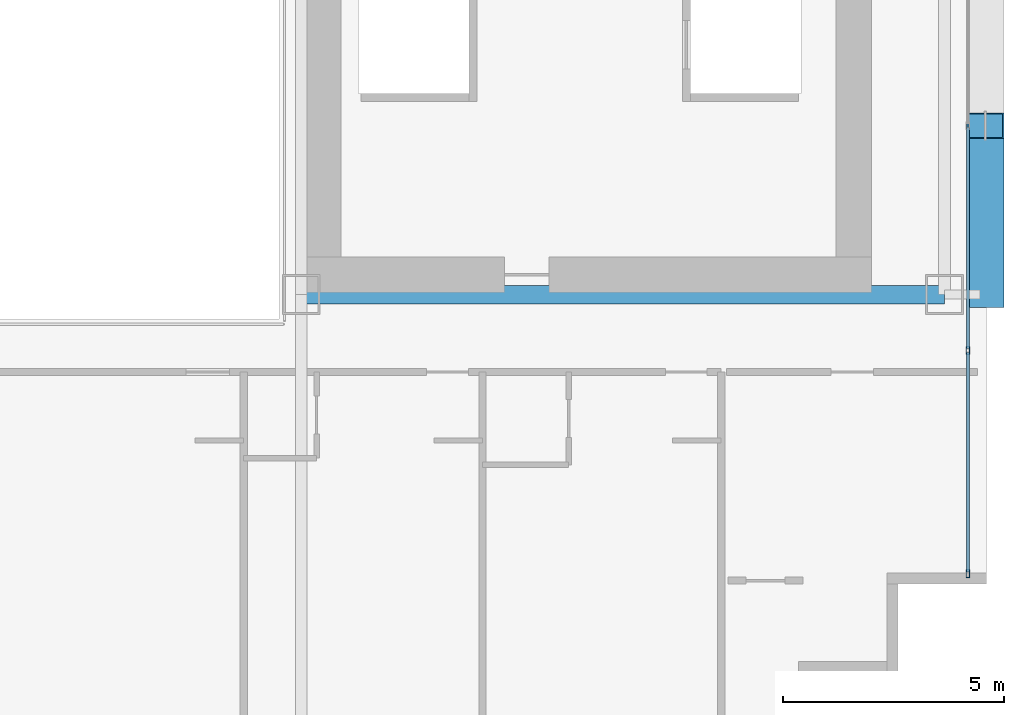
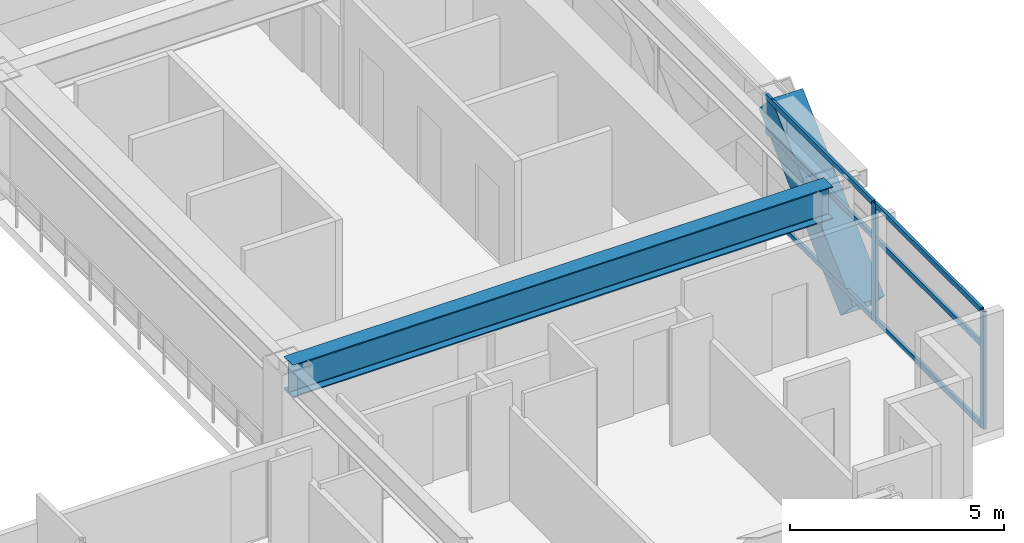
# One storey, part 11 of 35: 9 members, 1 beam, 1 element without a shape of its own.
"""IFC4 building model written with IfcOpenShell, lengths in metres."""

from ifc_helpers import new_model, si_unit, direction, frame, origin, origin_2d, place, context, subcontext, project, spatial, hollow_rectangle, i_section, extrude, source, transform, mapped, material, layer, layer_set, material_profile, profile_set, type_object, element, aggregate, save


model = new_model("IFC4")

# Units and contexts
model_context = context("Model", 3, precision=1e-05, world=origin(), true_north=direction((0.0, 1.0)))
body_context = subcontext(model_context, "Body", "Model", "MODEL_VIEW")
ifc_project = project(units=[si_unit("LENGTHUNIT", "METRE"), si_unit("AREAUNIT", "SQUARE_METRE"), si_unit("VOLUMEUNIT", "CUBIC_METRE"), si_unit("PLANEANGLEUNIT", "RADIAN"), si_unit("MASSUNIT", "GRAM", prefix="KILO")], contexts=[model_context])

# Site, building, storey
site_placement = place(None, origin())
site = spatial("IfcSite", under=ifc_project, at=site_placement, CompositionType="ELEMENT")
building_placement = place(site_placement, origin())
building = spatial("IfcBuilding", under=site, at=building_placement, Name="Ocotamira Hotel", CompositionType="ELEMENT")
storey_placement = place(building_placement, frame((0.0, 0.0, 63.60009765625)))
storey = spatial("IfcBuildingStorey", under=building, at=storey_placement, Name="L15", CompositionType="ELEMENT", Elevation=63.60009765625)

# Beam
ifc_material_1 = material(Name="Steel ASTM A992 Grade 50", Category="steel")
ifc_material_profile_1 = material_profile(ifc_material_1, i_section(OverallWidth=0.41796875, OverallDepth=0.927001953125, WebThickness=0.019287109375, FlangeThickness=0.031982421875, FilletRadius=0.02392578125, at=origin_2d()), Name="W36X231")
ifc_profile_set_1 = profile_set([ifc_material_profile_1], Name="Steel ASTM A992 Grade 50")
beam_type = type_object("IfcBeamType", Name="BM-GIRD-W36X231", PredefinedType="BEAM", material=ifc_profile_set_1)
shared_shape_1 = source(origin(), body_context, "Body", "SweptSolid", [
    extrude(i_section(OverallWidth=0.41796875, OverallDepth=0.927001953125, WebThickness=0.019287109375, FlangeThickness=0.031982421875, FilletRadius=0.02392578125, at=origin_2d()), origin(), (0.0, 0.0, 1.0), 14.550048828125),
])
beam_placement = place(storey_placement, frame((40.5, 14.550048828125, 2.886474609375), z_axis=(1.0, 0.0, 0.0), x_axis=(0.0, 1.0, 0.0)))
element("IfcBeam", 1, at=beam_placement, inside=storey, type_object=beam_type, Name="L15 Girder Y14.55 X40.5-55.05", PredefinedType="BEAM", context=body_context, shape_type="MappedRepresentation", body=[
    mapped(shared_shape_1, transform((0.0, 0.0, 0.0), scale=1.0)),
])

# Member
ifc_material_2 = material(Name="Pale-metal coated steel ASTM A913 Grade 65", Category="steel")
ifc_material_profile_2 = material_profile(ifc_material_2, hollow_rectangle(XDim=0.85009765625, YDim=0.85009765625, WallThickness=0.035888671875, at=origin_2d()), Name="BOX850X850X36")
ifc_profile_set_2 = profile_set([ifc_material_profile_2], Name="Pale-metal coated steel ASTM A913 Grade 65")
member_type_1 = type_object("IfcMemberType", Name="MEM-EXO-BOX850", PredefinedType="BRACE", material=ifc_profile_set_2)
shared_shape_2 = source(origin(), body_context, "Body", "SweptSolid", [
    extrude(hollow_rectangle(XDim=0.85009765625, YDim=0.85009765625, WallThickness=0.035888671875, at=origin_2d()), origin(), (0.0, 0.0, 1.0), 5.24658203125),
])
member_1_placement = place(storey_placement, frame((55.969970703125, 14.550048828125, -0.5), z_axis=(0.0, 0.72746596067, 0.686143772154), x_axis=(-1.0, 0.0, 0.0)))
element("IfcMember", 2, at=member_1_placement, inside=storey, type_object=member_type_1, Name="L15 Exoskeleton Diagrid E0.1", PredefinedType="BRACE", context=body_context, shape_type="MappedRepresentation", body=[
    mapped(shared_shape_2, transform((0.0, 0.0, 0.0), scale=1.0)),
])

# Curtain wall, members
ifc_material_3 = material(Name="Anodised pale-metal aluminium and solar glass", Category="aluminium")
ifc_layer = layer(ifc_material_3, 0.179931640625)
ifc_layer_set = layer_set([ifc_layer], Name="Anodised pale-metal aluminium and solar glass")
curtain_wall_type = type_object("IfcCurtainWallType", Name="CW-SYS2-Z1", PredefinedType="NOTDEFINED", material=ifc_layer_set)
curtain_wall_placement = place(storey_placement, origin())
curtain_wall = element("IfcCurtainWall", 3, at=curtain_wall_placement, inside=storey, type_object=curtain_wall_type, Name="L15 Curtain Wall CW-2 CW-L15-E", PredefinedType="NOTDEFINED")
ifc_material_4 = material(Name="Anodised pale-metal aluminium 6063-T6", Category="aluminium")
ifc_material_profile_3 = material_profile(ifc_material_4, hollow_rectangle(XDim=0.080078125, YDim=0.179931640625, WallThickness=0.006103515625, at=origin_2d()), Name="HSS180X80X6")
ifc_profile_set_3 = profile_set([ifc_material_profile_3], Name="Anodised pale-metal aluminium 6063-T6")
member_type_2 = type_object("IfcMemberType", Name="CWM-180X75", PredefinedType="MULLION", material=ifc_profile_set_3)
shared_shape_3 = source(origin(), body_context, "Body", "SweptSolid", [
    extrude(hollow_rectangle(XDim=0.080078125, YDim=0.179931640625, WallThickness=0.006103515625, at=origin_2d()), origin(), (0.0, 0.0, 1.0), 3.349853515625),
])
member_2_placement = place(storey_placement, frame((55.580078125, 8.239990234375, 0.0), z_axis=(0.0, 0.0, 1.0), x_axis=(-1.0, 0.0, 0.0)))
member_2 = element("IfcMember", 4, at=member_2_placement, type_object=member_type_2, Name="CW-2 mullion 1", PredefinedType="MULLION", context=body_context, shape_type="MappedRepresentation", body=[
    mapped(shared_shape_3, transform((0.0, 0.0, 0.0), scale=1.0)),
])
member_3_placement = place(storey_placement, frame((55.580078125, 13.28564453125, 0.0), z_axis=(0.0, 0.0, 1.0), x_axis=(-1.0, 0.0, 0.0)))
member_3 = element("IfcMember", 5, at=member_3_placement, type_object=member_type_2, Name="CW-2 mullion 2", PredefinedType="MULLION", context=body_context, shape_type="MappedRepresentation", body=[
    mapped(shared_shape_3, transform((0.0, 0.0, 0.0), scale=1.0)),
])
ifc_material_profile_4 = material_profile(ifc_material_4, hollow_rectangle(XDim=0.074951171875, YDim=0.14990234375, WallThickness=0.006103515625, at=origin_2d()), Name="HSS150X75X6")
ifc_profile_set_4 = profile_set([ifc_material_profile_4], Name="Anodised pale-metal aluminium 6063-T6")
member_type_3 = type_object("IfcMemberType", Name="CWT-150X75", PredefinedType="USERDEFINED", material=ifc_profile_set_4)
shared_shape_4 = source(origin(), body_context, "Body", "SweptSolid", [
    extrude(hollow_rectangle(XDim=0.074951171875, YDim=0.14990234375, WallThickness=0.006103515625, at=origin_2d()), origin(), (0.0, 0.0, 1.0), 4.965576171875),
])
member_4_placement = place(storey_placement, frame((55.580078125, 8.280029296875, 0.037353515625), z_axis=(0.0, 1.0, 0.0), x_axis=(-1.0, 0.0, 0.0)))
member_4 = element("IfcMember", 6, at=member_4_placement, type_object=member_type_3, Name="CW-2 transom 1.1", ObjectType="TRANSOM", PredefinedType="USERDEFINED", context=body_context, shape_type="MappedRepresentation", body=[
    mapped(shared_shape_4, transform((0.0, 0.0, 0.0), scale=1.0)),
])
member_5_placement = place(storey_placement, frame((55.580078125, 8.280029296875, 2.349853515625), z_axis=(0.0, 1.0, 0.0), x_axis=(-1.0, 0.0, 0.0)))
member_5 = element("IfcMember", 7, at=member_5_placement, type_object=member_type_3, Name="CW-2 transom 1.2", ObjectType="TRANSOM", PredefinedType="USERDEFINED", context=body_context, shape_type="MappedRepresentation", body=[
    mapped(shared_shape_4, transform((0.0, 0.0, 0.0), scale=1.0)),
])
member_6_placement = place(storey_placement, frame((55.580078125, 8.280029296875, 3.3125), z_axis=(0.0, 1.0, 0.0), x_axis=(-1.0, 0.0, 0.0)))
member_6 = element("IfcMember", 8, at=member_6_placement, type_object=member_type_3, Name="CW-2 transom 1.3", ObjectType="TRANSOM", PredefinedType="USERDEFINED", context=body_context, shape_type="MappedRepresentation", body=[
    mapped(shared_shape_4, transform((0.0, 0.0, 0.0), scale=1.0)),
])
shared_shape_5 = source(origin(), body_context, "Body", "SweptSolid", [
    extrude(hollow_rectangle(XDim=0.074951171875, YDim=0.14990234375, WallThickness=0.006103515625, at=origin_2d()), origin(), (0.0, 0.0, 1.0), 5.005859375),
])
member_7_placement = place(storey_placement, frame((55.580078125, 13.32568359375, 0.037353515625), z_axis=(0.0, 1.0, 0.0), x_axis=(-1.0, 0.0, 0.0)))
member_7 = element("IfcMember", 9, at=member_7_placement, type_object=member_type_3, Name="CW-2 transom 2.1", ObjectType="TRANSOM", PredefinedType="USERDEFINED", context=body_context, shape_type="MappedRepresentation", body=[
    mapped(shared_shape_5, transform((0.0, 0.0, 0.0), scale=1.0)),
])
member_8_placement = place(storey_placement, frame((55.580078125, 13.32568359375, 2.349853515625), z_axis=(0.0, 1.0, 0.0), x_axis=(-1.0, 0.0, 0.0)))
member_8 = element("IfcMember", 10, at=member_8_placement, type_object=member_type_3, Name="CW-2 transom 2.2", ObjectType="TRANSOM", PredefinedType="USERDEFINED", context=body_context, shape_type="MappedRepresentation", body=[
    mapped(shared_shape_5, transform((0.0, 0.0, 0.0), scale=1.0)),
])
member_9_placement = place(storey_placement, frame((55.580078125, 13.32568359375, 3.3125), z_axis=(0.0, 1.0, 0.0), x_axis=(-1.0, 0.0, 0.0)))
member_9 = element("IfcMember", 11, at=member_9_placement, type_object=member_type_3, Name="CW-2 transom 2.3", ObjectType="TRANSOM", PredefinedType="USERDEFINED", context=body_context, shape_type="MappedRepresentation", body=[
    mapped(shared_shape_5, transform((0.0, 0.0, 0.0), scale=1.0)),
])
aggregate(curtain_wall, [member_2, member_3, member_4, member_5, member_6, member_7, member_8, member_9])

save(model, "model.ifc")
